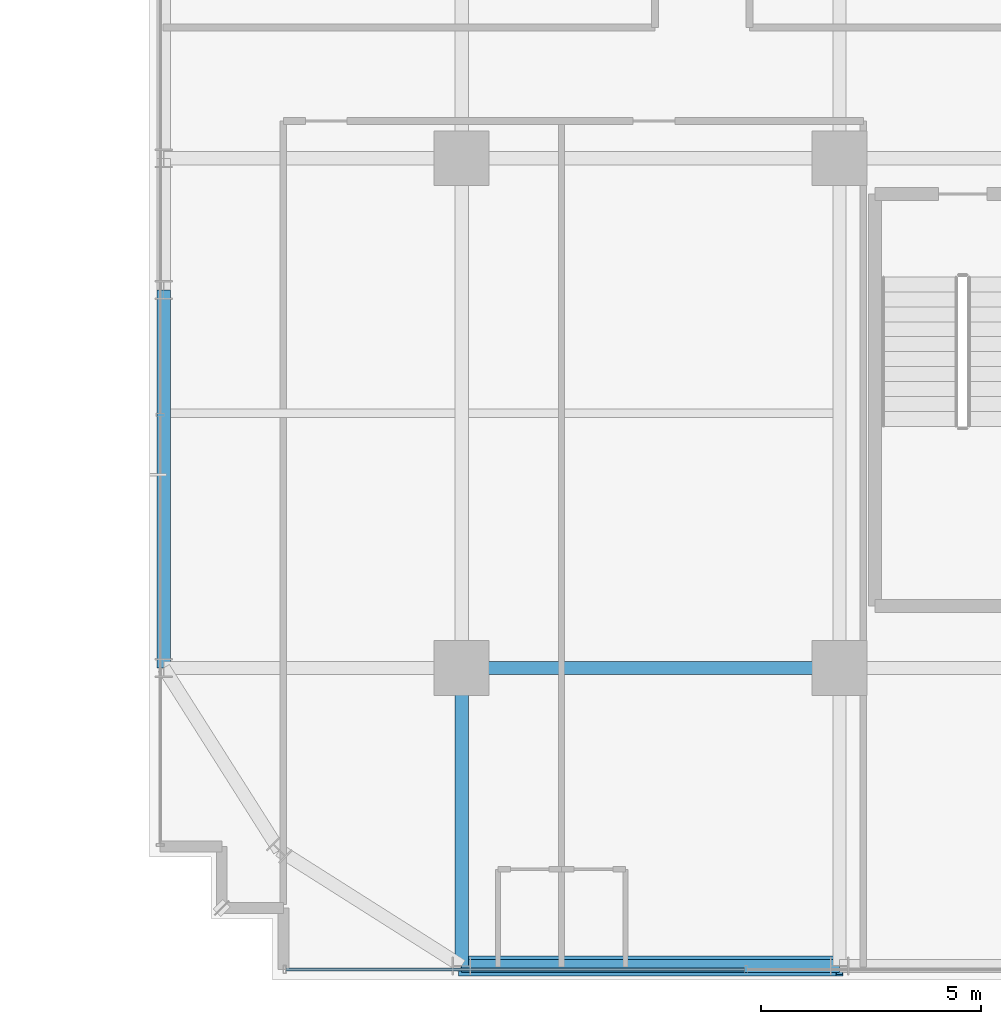
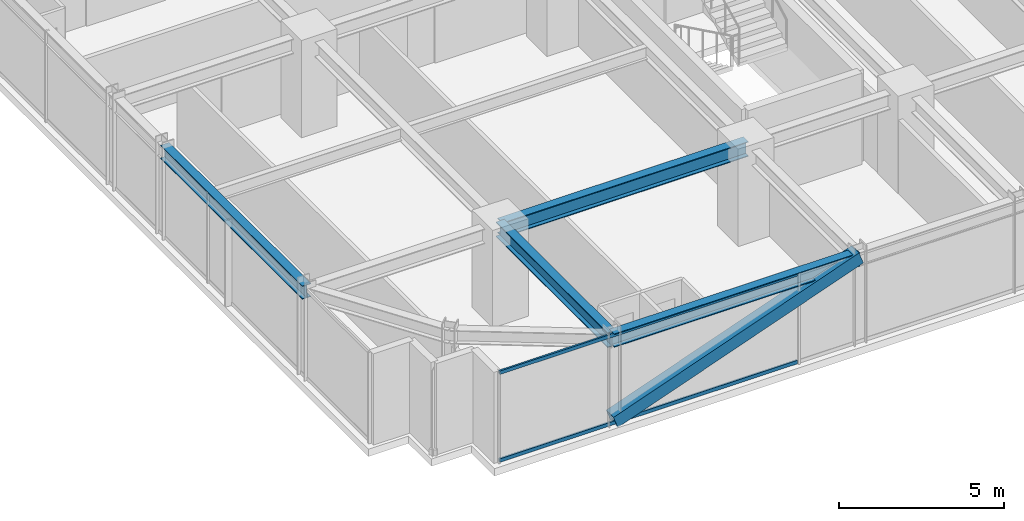
# One storey, part 3 of 40: 4 beams, 3 members, 1 element without a shape of its own.
"""IFC4 building model written with IfcOpenShell, lengths in metres."""

from ifc_helpers import new_model, si_unit, direction, frame, origin, origin_2d, place, context, subcontext, project, spatial, hollow_rectangle, i_section, extrude, source, transform, mapped, material, material_profile, profile_set, type_object, element, aggregate, save


model = new_model("IFC4")

# Units and contexts
model_context = context("Model", 3, precision=1e-05, world=origin(), true_north=direction((0.0, 1.0)))
body_context = subcontext(model_context, "Body", "Model", "MODEL_VIEW")
ifc_project = project(units=[si_unit("LENGTHUNIT", "METRE"), si_unit("AREAUNIT", "SQUARE_METRE"), si_unit("VOLUMEUNIT", "CUBIC_METRE"), si_unit("PLANEANGLEUNIT", "RADIAN"), si_unit("MASSUNIT", "GRAM", prefix="KILO")], contexts=[model_context])

# Site, building, storey
site_placement = place(None, origin())
site = spatial("IfcSite", under=ifc_project, at=site_placement, CompositionType="ELEMENT")
building_placement = place(site_placement, origin())
building = spatial("IfcBuilding", under=site, at=building_placement, Name="Nahalor Promenade Grand Hotel", CompositionType="ELEMENT")
storey_placement = place(building_placement, frame((0.0, 0.0, 91.949951171875)))
storey = spatial("IfcBuildingStorey", under=building, at=storey_placement, Name="L22", CompositionType="ELEMENT", Elevation=91.949951171875)

# Beams
ifc_material_1 = material(Name="Steel S355JR", Category="steel")
ifc_material_profile_1 = material_profile(ifc_material_1, i_section(OverallWidth=0.3, OverallDepth=0.5, WebThickness=0.0145, FlangeThickness=0.028, at=origin_2d()), Name="HEB 500")
ifc_profile_set_1 = profile_set([ifc_material_profile_1], Name="Steel S355JR")
beam_type_1 = type_object("IfcBeamType", Name="Beam-Spandrel-HEB500", PredefinedType="SPANDREL", material=ifc_profile_set_1)
shared_shape_1 = source(origin(), body_context, "Body", "SweptSolid", [
    extrude(i_section(OverallWidth=0.3, OverallDepth=0.5, WebThickness=0.0145, FlangeThickness=0.028, at=origin_2d()), origin(), (0.0, 0.0, 1.0), 8.60009765625),
])
for number, where, z_axis, x_axis, name in (
    (1, (-17.0, -23.780029296875, 3.130126953125), (1.0, 0.0, 0.0), (0.0, 1.0, 0.0), "BM-L22-SP-S-0"),
    (2, (-23.780029296875, -17.0, 3.130126953125), (0.0, 1.0, 0.0), (-1.0, 0.0, 0.0), "BM-L22-SP-W-0"),
):
    element("IfcBeam", number, at=place(storey_placement, frame(where, z_axis=z_axis, x_axis=x_axis)), inside=storey, type_object=beam_type_1, Name=name, PredefinedType="SPANDREL", context=body_context, shape_type="MappedRepresentation", body=[
        mapped(shared_shape_1, transform((0.0, 0.0, 0.0), scale=1.0)),
    ])
ifc_material_profile_2 = material_profile(ifc_material_1, i_section(OverallWidth=0.3, OverallDepth=0.55, WebThickness=0.015, FlangeThickness=0.029, at=origin_2d()), Name="HEB 550")
ifc_profile_set_2 = profile_set([ifc_material_profile_2], Name="Steel S355JR")
beam_type_2 = type_object("IfcBeamType", Name="Beam-Girder-HEB550", PredefinedType="BEAM", material=ifc_profile_set_2)
shared_shape_2 = source(origin(), body_context, "Body", "SweptSolid", [
    extrude(i_section(OverallWidth=0.3, OverallDepth=0.55, WebThickness=0.015, FlangeThickness=0.029, at=origin_2d()), origin(), (0.0, 0.0, 1.0), 6.780029296875),
])
beam_1_placement = place(storey_placement, frame((-17.0, -23.780029296875, 3.10498046875), z_axis=(0.0, 1.0, 0.0), x_axis=(-1.0, 0.0, 0.0)))
element("IfcBeam", 3, at=beam_1_placement, inside=storey, type_object=beam_type_2, Name="BM-L22-GY-0-0", PredefinedType="BEAM", context=body_context, shape_type="MappedRepresentation", body=[
    mapped(shared_shape_2, transform((0.0, 0.0, 0.0), scale=1.0)),
])
shared_shape_3 = source(origin(), body_context, "Body", "SweptSolid", [
    extrude(i_section(OverallWidth=0.3, OverallDepth=0.55, WebThickness=0.015, FlangeThickness=0.029, at=origin_2d()), origin(), (0.0, 0.0, 1.0), 8.60009765625),
])
beam_2_placement = place(storey_placement, frame((-17.0, -17.0, 3.10498046875), z_axis=(1.0, 0.0, 0.0), x_axis=(0.0, 1.0, 0.0)))
element("IfcBeam", 4, at=beam_2_placement, inside=storey, type_object=beam_type_2, Name="BM-L22-GX-0-1", PredefinedType="BEAM", context=body_context, shape_type="MappedRepresentation", body=[
    mapped(shared_shape_3, transform((0.0, 0.0, 0.0), scale=1.0)),
])

# Member
ifc_material_2 = material(Name="Steel S355J2", Category="steel")
ifc_material_profile_3 = material_profile(ifc_material_2, hollow_rectangle(XDim=0.45, YDim=0.45, WallThickness=0.025, at=origin_2d()), Name="SHS 450x450x25")
ifc_profile_set_3 = profile_set([ifc_material_profile_3], Name="Steel S355J2")
member_type_1 = type_object("IfcMemberType", Name="Mem-ExoBrace-SHS450", PredefinedType="BRACE", material=ifc_profile_set_3)
shared_shape_4 = source(origin(), body_context, "Body", "SweptSolid", [
    extrude(hollow_rectangle(XDim=0.45, YDim=0.45, WallThickness=0.025, at=origin_2d()), origin(), (0.0, 0.0, 1.0), 9.135009765625),
])
member_1_placement = place(storey_placement, frame((-17.0, -23.780029296875, 0.150146484375), z_axis=(0.941451323466, 0.0, 0.337148936738), x_axis=(0.0, 1.0, 0.0)))
element("IfcMember", 5, at=member_1_placement, inside=storey, type_object=member_type_1, Name="EXO-L22-S-0", PredefinedType="BRACE", context=body_context, shape_type="MappedRepresentation", body=[
    mapped(shared_shape_4, transform((0.0, 0.0, 0.0), scale=1.0)),
])

# Curtain wall, members
ifc_material_3 = material(Name="Anodised Bronze Aluminium EN AW-6063 T6", Category="aluminium")
curtain_wall_type = type_object("IfcCurtainWallType", Name="CW2 Typical Hotel Flush Bronze Unitised Curtain Wall", PredefinedType="USERDEFINED", material=ifc_material_3)
curtain_wall_placement = place(storey_placement, origin())
curtain_wall = element("IfcCurtainWall", 6, at=curtain_wall_placement, inside=storey, type_object=curtain_wall_type, Name="L22 Curtain Wall CW-L22-S-1", ObjectType="UNITISED_CURTAIN_WALL", PredefinedType="USERDEFINED")
ifc_material_profile_4 = material_profile(ifc_material_3, hollow_rectangle(XDim=0.065, YDim=0.13, WallThickness=0.004, at=origin_2d()), Name="CWT 65x130x4")
ifc_profile_set_4 = profile_set([ifc_material_profile_4], Name="Anodised Bronze Aluminium EN AW-6063 T6")
member_type_2 = type_object("IfcMemberType", Name="CWT2 Typical Bronze Transom 65x130", PredefinedType="USERDEFINED", material=ifc_profile_set_4)
shared_shape_5 = source(origin(), body_context, "Body", "SweptSolid", [
    extrude(hollow_rectangle(XDim=0.065, YDim=0.13, WallThickness=0.004, at=origin_2d()), origin(), (0.0, 0.0, 1.0), 10.4326171875),
])
member_2_placement = place(storey_placement, frame((-20.9951171875, -23.860107421875, 0.06494140625), z_axis=(1.0, 0.0, 0.0), x_axis=(0.0, 1.0, 0.0)))
member_2 = element("IfcMember", 7, at=member_2_placement, type_object=member_type_2, Name="CW-L22-S-1 Transom 0-0", ObjectType="TRANSOM", PredefinedType="USERDEFINED", context=body_context, shape_type="MappedRepresentation", body=[
    mapped(shared_shape_5, transform((0.0, 0.0, 0.0), scale=1.0)),
])
member_3_placement = place(storey_placement, frame((-20.9951171875, -23.860107421875, 3.31494140625), z_axis=(1.0, 0.0, 0.0), x_axis=(0.0, 1.0, 0.0)))
member_3 = element("IfcMember", 8, at=member_3_placement, type_object=member_type_2, Name="CW-L22-S-1 Transom 0-1", ObjectType="TRANSOM", PredefinedType="USERDEFINED", context=body_context, shape_type="MappedRepresentation", body=[
    mapped(shared_shape_5, transform((0.0, 0.0, 0.0), scale=1.0)),
])
aggregate(curtain_wall, [member_2, member_3])

save(model, "model.ifc")
